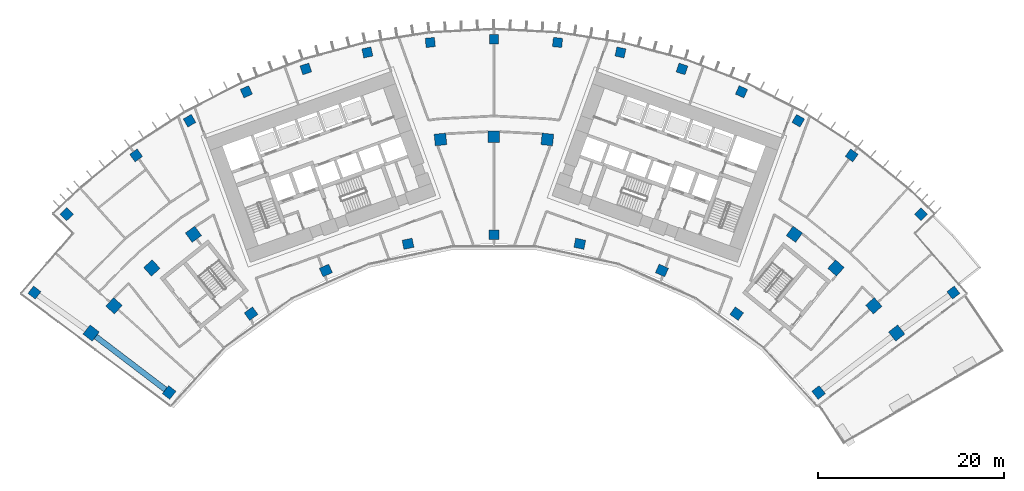
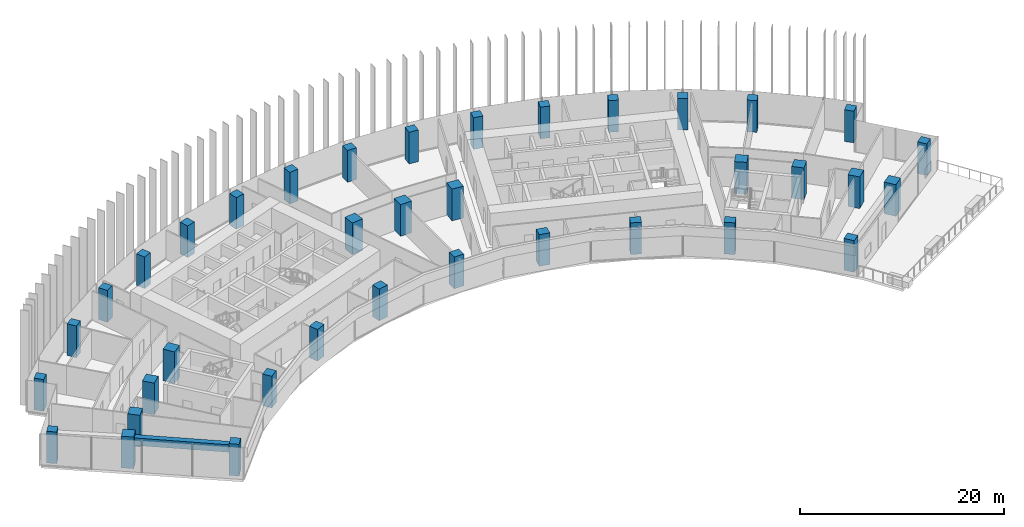
# One storey, part 1 of 23: 37 columns, 1 beam.
"""IFC4 building model written with IfcOpenShell, lengths in metres."""

from ifc_helpers import new_model, si_unit, direction, frame, origin, origin_2d, place, context, subcontext, project, spatial, rectangle, extrude, material, material_profile, profile_set, type_object, element, save


model = new_model("IFC4")

# Units and contexts
model_context = context("Model", 3, precision=1e-05, world=origin(), true_north=direction((0.0, 1.0)))
body_context = subcontext(model_context, "Body", "Model", "MODEL_VIEW")
ifc_project = project(units=[si_unit("LENGTHUNIT", "METRE"), si_unit("AREAUNIT", "SQUARE_METRE"), si_unit("VOLUMEUNIT", "CUBIC_METRE"), si_unit("PLANEANGLEUNIT", "RADIAN"), si_unit("MASSUNIT", "GRAM", prefix="KILO")], contexts=[model_context])

# Site, building, storey
site_placement = place(None, origin())
site = spatial("IfcSite", under=ifc_project, at=site_placement, CompositionType="ELEMENT")
building_placement = place(site_placement, origin())
building = spatial("IfcBuilding", under=site, at=building_placement, Name="Stone Belt Terrace Tower", CompositionType="ELEMENT")
storey_placement = place(building_placement, frame((0.0, 0.0, 144.0)))
storey = spatial("IfcBuildingStorey", under=building, at=storey_placement, Name="L34", CompositionType="ELEMENT", Elevation=144.0)

# Columns
ifc_material_1 = material(Name="Concrete B80", Category="concrete")
ifc_material_profile_1 = material_profile(ifc_material_1, rectangle(XDim=1.0, YDim=1.0, at=origin_2d()), Name="RC 1000x1000")
ifc_profile_set_1 = profile_set([ifc_material_profile_1], Name="Concrete B80")
column_type_1 = type_object("IfcColumnType", Name="Column RC 1000x1000 B80", PredefinedType="COLUMN", material=ifc_profile_set_1)
for number, where, z_axis, x_axis, name in (
    (1, (-49.432861328125, 38.226318359375, 0.0), (0.0, 0.0, 1.0), (0.611730019057, 0.791066611472, 0.0), "Column L34 RA"),
    (2, (49.432861328125, 38.226318359375, 0.0), (0.0, 0.0, 1.0), (0.611730019057, -0.791066611472, 0.0), "Column L34 RB"),
    (3, (-45.95849609375, 46.654296875, 0.0), (0.0, 0.0, 1.0), (0.712398494182, 0.701775167334, 0.0), "Column L34 RNA"),
    (4, (-38.493408203125, 52.981689453125, 0.0), (0.0, 0.0, 1.0), (0.809016994375, 0.587785252292, 0.0), "Column L34 R16"),
    (5, (-32.744384765625, 56.715087890625, 0.0), (0.0, 0.0, 1.0), (0.866025403784, 0.5, 0.0), "Column L34 R17"),
    (6, (-26.63671875, 59.8271484375, 0.0), (0.0, 0.0, 1.0), (0.913545457643, 0.406736643076, 0.0), "Column L34 R18"),
    (7, (-20.2373046875, 62.28369140625, 0.0), (0.0, 0.0, 1.0), (0.951056516295, 0.309016994375, 0.0), "Column L34 R19"),
    (8, (-13.615966796875, 64.057861328125, 0.0), (0.0, 0.0, 1.0), (0.978147600734, 0.207911690818, 0.0), "Column L34 R20"),
    (9, (-6.845458984375, 65.130126953125, 0.0), (0.0, 0.0, 1.0), (0.994521895368, 0.104528463268, 0.0), "Column L34 R21"),
    (10, (0.0, 65.489013671875, 0.0), (0.0, 0.0, 1.0), (1.0, 0.0, 0.0), "Column L34 R22"),
    (11, (6.845458984375, 65.130126953125, 0.0), (0.0, 0.0, 1.0), (0.994521895368, -0.104528463268, 0.0), "Column L34 R23"),
    (12, (13.615966796875, 64.057861328125, 0.0), (0.0, 0.0, 1.0), (0.978147600734, -0.207911690818, 0.0), "Column L34 R24"),
    (13, (20.2373046875, 62.28369140625, 0.0), (0.0, 0.0, 1.0), (0.951056516295, -0.309016994375, 0.0), "Column L34 R25"),
    (14, (26.63671875, 59.8271484375, 0.0), (0.0, 0.0, 1.0), (0.913545457643, -0.406736643076, 0.0), "Column L34 R26"),
    (15, (32.744384765625, 56.715087890625, 0.0), (0.0, 0.0, 1.0), (0.866025403784, -0.5, 0.0), "Column L34 R27"),
    (16, (38.493408203125, 52.981689453125, 0.0), (0.0, 0.0, 1.0), (0.809016994375, -0.587785252292, 0.0), "Column L34 R28"),
    (17, (45.95849609375, 46.654296875, 0.0), (0.0, 0.0, 1.0), (0.712398494182, -0.701775167334, 0.0), "Column L34 RNB"),
):
    element("IfcColumn", number, at=place(storey_placement, frame(where, z_axis=z_axis, x_axis=x_axis)), inside=storey, type_object=column_type_1, Name=name, PredefinedType="COLUMN", context=body_context, shape_type="SweptSolid", body=[
        extrude(rectangle(XDim=1.0, YDim=1.0, at=origin_2d()), origin(), (0.0, 0.0, 1.0), 3.800048828125),
    ])
ifc_material_profile_2 = material_profile(ifc_material_1, rectangle(XDim=1.10009765625, YDim=1.0, at=origin_2d()), Name="RC 1100x1000")
ifc_profile_set_2 = profile_set([ifc_material_profile_2], Name="Concrete B80")
column_type_2 = type_object("IfcColumnType", Name="Column RC 1100x1000 B80", PredefinedType="COLUMN", material=ifc_profile_set_2)
for number, where, z_axis, x_axis, name in (
    (18, (-34.93408203125, 27.476806640625, 0.0), (0.0, 0.0, 1.0), (0.618217727677, 0.786006896399, 0.0), "Column L34 PA"),
    (19, (-26.1240234375, 35.956787109375, 0.0), (0.0, 0.0, 1.0), (0.809016994375, 0.587785252292, 0.0), "Column L34 P16"),
    (20, (-18.077392578125, 40.6025390625, 0.0), (0.0, 0.0, 1.0), (0.913545457643, 0.406736643076, 0.0), "Column L34 P18"),
    (21, (-9.240478515625, 43.473876953125, 0.0), (0.0, 0.0, 1.0), (0.978147600734, 0.207911690818, 0.0), "Column L34 P20"),
    (22, (0.0, 44.445068359375, 0.0), (0.0, 0.0, 1.0), (1.0, 0.0, 0.0), "Column L34 P22"),
    (23, (9.240478515625, 43.473876953125, 0.0), (0.0, 0.0, 1.0), (0.978147600734, -0.207911690818, 0.0), "Column L34 P24"),
    (24, (18.077392578125, 40.6025390625, 0.0), (0.0, 0.0, 1.0), (0.913545457643, -0.406736643076, 0.0), "Column L34 P26"),
    (25, (26.1240234375, 35.956787109375, 0.0), (0.0, 0.0, 1.0), (0.809016994375, -0.587785252292, 0.0), "Column L34 P28"),
    (26, (34.93408203125, 27.476806640625, 0.0), (0.0, 0.0, 1.0), (0.618217727677, -0.786006896399, 0.0), "Column L34 PB"),
):
    element("IfcColumn", number, at=place(storey_placement, frame(where, z_axis=z_axis, x_axis=x_axis)), inside=storey, type_object=column_type_2, Name=name, PredefinedType="COLUMN", context=body_context, shape_type="SweptSolid", body=[
        extrude(rectangle(XDim=1.10009765625, YDim=1.0, at=origin_2d()), origin(), (0.0, 0.0, 1.0), 3.800048828125),
    ])
ifc_material_profile_3 = material_profile(ifc_material_1, rectangle(XDim=1.25, YDim=1.25, at=origin_2d()), Name="RC 1250x1250")
ifc_profile_set_3 = profile_set([ifc_material_profile_3], Name="Concrete B80")
column_type_3 = type_object("IfcColumnType", Name="Column RC 1250x1250 B80", PredefinedType="COLUMN", material=ifc_profile_set_3)
for number, where, z_axis, x_axis, name in (
    (27, (-43.33349609375, 33.870361328125, 0.0), (0.0, 0.0, 1.0), (0.615825127294, 0.787882867306, 0.0), "Column L34 QA"),
    (28, (-40.873046875, 36.80224609375, 0.0), (0.0, 0.0, 1.0), (0.669130606359, 0.743144825477, 0.0), "Column L34 Q14"),
    (29, (-36.80224609375, 40.873046875, 0.0), (0.0, 0.0, 1.0), (0.743144825477, 0.669130606359, 0.0), "Column L34 Q15"),
    (30, (-32.328125, 44.495849609375, 0.0), (0.0, 0.0, 1.0), (0.809016994375, 0.587785252292, 0.0), "Column L34 Q16"),
    (31, (-5.7490234375, 54.69873046875, 0.0), (0.0, 0.0, 1.0), (0.994521895368, 0.104528463268, 0.0), "Column L34 Q21"),
    (32, (0.0, 55.0, 0.0), (0.0, 0.0, 1.0), (1.0, 0.0, 0.0), "Column L34 Q22"),
    (33, (5.7490234375, 54.69873046875, 0.0), (0.0, 0.0, 1.0), (0.994521895368, -0.104528463268, 0.0), "Column L34 Q23"),
    (34, (32.328125, 44.495849609375, 0.0), (0.0, 0.0, 1.0), (0.809016994375, -0.587785252292, 0.0), "Column L34 Q28"),
    (35, (36.80224609375, 40.873046875, 0.0), (0.0, 0.0, 1.0), (0.743144825477, -0.669130606359, 0.0), "Column L34 Q29"),
    (36, (40.873046875, 36.80224609375, 0.0), (0.0, 0.0, 1.0), (0.669130606359, -0.743144825477, 0.0), "Column L34 Q30"),
    (37, (43.33349609375, 33.870361328125, 0.0), (0.0, 0.0, 1.0), (0.615825127294, -0.787882867306, 0.0), "Column L34 QB"),
):
    element("IfcColumn", number, at=place(storey_placement, frame(where, z_axis=z_axis, x_axis=x_axis)), inside=storey, type_object=column_type_3, Name=name, PredefinedType="COLUMN", context=body_context, shape_type="SweptSolid", body=[
        extrude(rectangle(XDim=1.25, YDim=1.25, at=origin_2d()), origin(), (0.0, 0.0, 1.0), 3.800048828125),
    ])

# Beam
ifc_material_2 = material(Name="Concrete B60", Category="concrete")
ifc_material_profile_4 = material_profile(ifc_material_2, rectangle(XDim=0.60009765625, YDim=0.89990234375, at=origin_2d()), Name="RC 600x900")
ifc_profile_set_4 = profile_set([ifc_material_profile_4], Name="Concrete B60")
beam_type = type_object("IfcBeamType", Name="Edge beam RC 600x900 B60", PredefinedType="SPANDREL", material=ifc_profile_set_4)
beam_placement = place(storey_placement, frame((-35.33203125, 27.779541015625, 3.030029296875), z_axis=(-0.795702028976, 0.605688270552, 0.0), x_axis=(-0.605688270552, -0.795702028976, 0.0)))
element("IfcBeam", 38, at=beam_placement, inside=storey, type_object=beam_type, Name="Edge beam L34 A P to Q", PredefinedType="SPANDREL", context=body_context, shape_type="SweptSolid", body=[
    extrude(rectangle(XDim=0.60009765625, YDim=0.89990234375, at=origin_2d()), origin(), (0.0, 0.0, 1.0), 9.430908203125),
])

save(model, "model.ifc")
